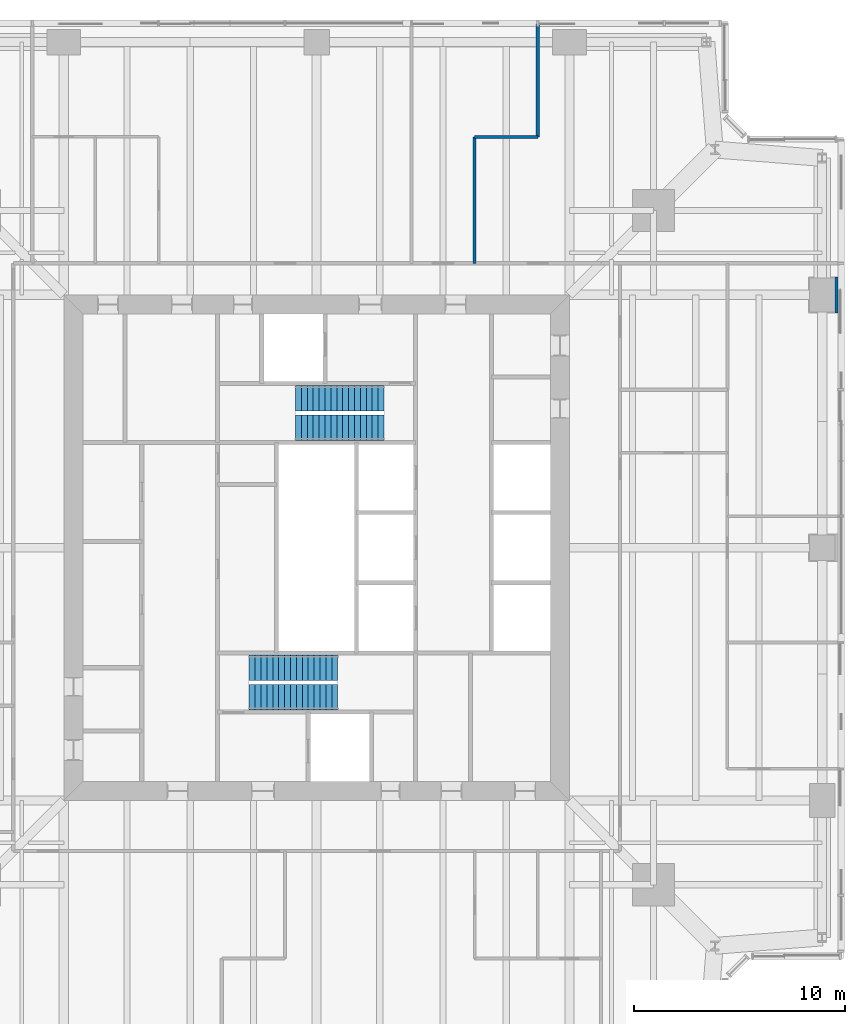
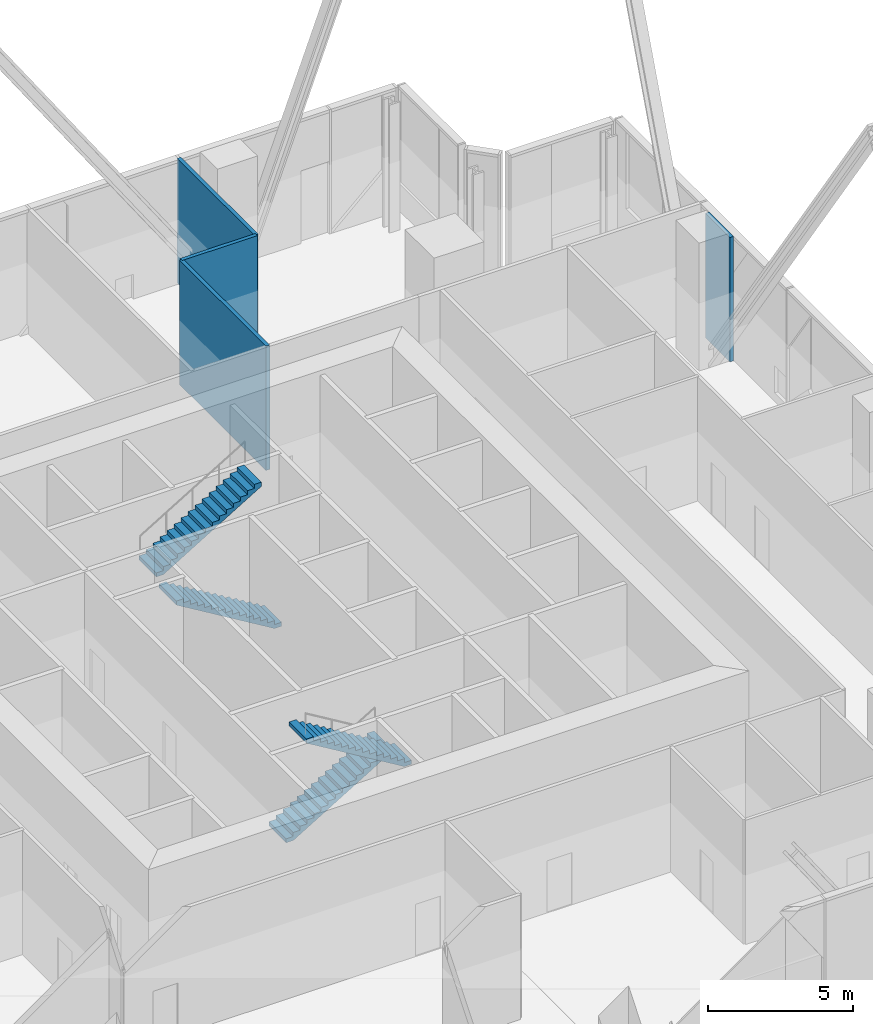
# One storey, part 12 of 14: 4 stair flights, 4 walls, 2 elements without a shape of their own.
"""IFC4 building model written with IfcOpenShell, lengths in metres."""

from ifc_helpers import new_model, si_unit, direction, frame, frame_2d, origin, place, context, subcontext, project, spatial, polyline, rectangle, outline, extrude, material, layer, layer_set, type_object, element, aggregate, save


model = new_model("IFC4")

# Units and contexts
model_context = context("Model", 3, precision=1e-05, world=origin(), true_north=direction((0.0, 1.0)))
body_context = subcontext(model_context, "Body", "Model", "MODEL_VIEW")
ifc_project = project(units=[si_unit("LENGTHUNIT", "METRE"), si_unit("AREAUNIT", "SQUARE_METRE"), si_unit("VOLUMEUNIT", "CUBIC_METRE"), si_unit("PLANEANGLEUNIT", "RADIAN"), si_unit("MASSUNIT", "GRAM", prefix="KILO")], contexts=[model_context])

# Site, building, storey
site_placement = place(None, origin())
site = spatial("IfcSite", under=ifc_project, at=site_placement, CompositionType="ELEMENT")
building_placement = place(site_placement, origin())
building = spatial("IfcBuilding", under=site, at=building_placement, Name="Fenwick Lantern Interchange", CompositionType="ELEMENT")
storey_placement = place(building_placement, frame((0.0, 0.0, 168.39990234375)))
storey = spatial("IfcBuildingStorey", under=building, at=storey_placement, Name="L39", CompositionType="ELEMENT", Elevation=168.39990234375)

# Walls
ifc_material_1 = material(Name="Fire-rated gypsum board encasement on steel studs, 2 hour", Category="steel")
ifc_layer_1 = layer(ifc_material_1, 1.699951171875)
ifc_layer_set_1 = layer_set([ifc_layer_1], Name="COLUMN PIER 1700")
wall_type_1 = type_object("IfcWallType", Name="COLUMN PIER 1700", PredefinedType="PARTITIONING", material=ifc_layer_set_1)
wall_1_placement = place(storey_placement, frame((49.75, 37.0, 0.0), z_axis=(0.0, 0.0, 1.0), x_axis=(-1.0, 0.0, 0.0)))
element("IfcWall", 1, at=wall_1_placement, inside=storey, type_object=wall_type_1, Name="L39/W/PIER/CE4", PredefinedType="PARTITIONING", context=body_context, shape_type="SweptSolid", body=[
    extrude(rectangle(XDim=0.14990234375, YDim=1.699951171875, at=frame_2d((0.074951171875, 0.0))), origin(), (0.0, 0.0, 1.0), 5.25),
])
ifc_material_2 = material(Name="Gypsum board on steel studs, 1 hour acoustic", Category="steel")
ifc_layer_2 = layer(ifc_material_2, 0.14990234375)
ifc_layer_set_2 = layer_set([ifc_layer_2], Name="TENANT WALL 150")
wall_type_2 = type_object("IfcWallType", Name="TENANT WALL 150", PredefinedType="PARTITIONING", material=ifc_layer_set_2)
wall_2_placement = place(storey_placement, frame((35.5, 49.85009765625, 0.0), z_axis=(0.0, 0.0, 1.0), x_axis=(0.0, -1.0, 0.0)))
element("IfcWall", 2, at=wall_2_placement, inside=storey, type_object=wall_type_2, Name="L39/W/OFF/N/X145-1", PredefinedType="PARTITIONING", context=body_context, shape_type="SweptSolid", body=[
    extrude(rectangle(XDim=5.35009765625, YDim=0.14990234375, at=frame_2d((2.675048828125, 0.0))), origin(), (0.0, 0.0, 1.0), 5.25),
])
wall_3_placement = place(storey_placement, frame((32.5, 44.5, 0.0), z_axis=(0.0, 0.0, 1.0), x_axis=(0.0, -1.0, 0.0)))
element("IfcWall", 3, at=wall_3_placement, inside=storey, type_object=wall_type_2, Name="L39/W/OFF/N/X175-1", PredefinedType="PARTITIONING", context=body_context, shape_type="SweptSolid", body=[
    extrude(rectangle(XDim=6.0, YDim=0.14990234375, at=frame_2d((3.0, 0.0))), origin(), (0.0, 0.0, 1.0), 5.25),
])
wall_4_placement = place(storey_placement, frame((35.5, 44.5, 0.0), z_axis=(0.0, 0.0, 1.0), x_axis=(-1.0, 0.0, 0.0)))
element("IfcWall", 4, at=wall_4_placement, inside=storey, type_object=wall_type_2, Name="L39/W/OFF/N/Y55-1", PredefinedType="PARTITIONING", context=body_context, shape_type="SweptSolid", body=[
    extrude(rectangle(XDim=3.0, YDim=0.14990234375, at=frame_2d((1.5, 0.0))), origin(), (0.0, 0.0, 1.0), 5.25),
])

# Stair, stair flights
ifc_material_3 = material(Name="Precast concrete f'c 35 MPa", Category="concrete")
stair_type = type_object("IfcStairType", Name="EXIT STAIR 1200", PredefinedType="HALF_TURN_STAIR", material=ifc_material_3)
stair_1_placement = place(storey_placement, origin())
stair_1 = element("IfcStair", 5, at=stair_1_placement, inside=storey, type_object=stair_type, Name="Exit stair ST1", PredefinedType="HALF_TURN_STAIR")
stair_flight_type = type_object("IfcStairFlightType", Name="STAIR FLIGHT 1200", PredefinedType="STRAIGHT", material=ifc_material_3)
stair_flight_1_placement = place(storey_placement, frame((21.800048828125, 19.300048828125, 0.0), z_axis=(0.0, 0.0, 1.0), x_axis=(1.0, 0.0, 0.0)))
stair_flight_1 = element("IfcStairFlight", 6, at=stair_flight_1_placement, type_object=stair_flight_type, Name="ST1 flight 1", NumberOfRisers=16, NumberOfTreads=15, PredefinedType="STRAIGHT", RiserHeight=0.16875, TreadLength=0.28, context=body_context, shape_type="SweptSolid", body=[
    extrude(outline(polyline([(0.0, 0.0), (0.0, 0.168701171875), (0.280029296875, 0.168701171875), (0.280029296875, 0.33740234375), (0.56005859375, 0.33740234375), (0.56005859375, 0.50634765625), (0.840087890625, 0.50634765625), (0.840087890625, 0.675048828125), (1.1201171875, 0.675048828125), (1.1201171875, 0.84375), (1.39990234375, 0.84375), (1.39990234375, 1.012451171875), (1.679931640625, 1.012451171875), (1.679931640625, 1.18115234375), (1.9599609375, 1.18115234375), (1.9599609375, 1.35009765625), (2.239990234375, 1.35009765625), (2.239990234375, 1.518798828125), (2.52001953125, 1.518798828125), (2.52001953125, 1.6875), (2.800048828125, 1.6875), (2.800048828125, 1.856201171875), (3.080078125, 1.856201171875), (3.080078125, 2.02490234375), (3.360107421875, 2.02490234375), (3.360107421875, 2.19384765625), (3.639892578125, 2.19384765625), (3.639892578125, 2.362548828125), (3.919921875, 2.362548828125), (3.919921875, 2.53125), (4.199951171875, 2.53125), (4.199951171875, 2.699951171875), (4.199951171875, 2.356201171875), (0.29052734375, 0.0), (0.0, 0.0)])), frame((0.0, 0.60009765625, 0.0), z_axis=(0.0, -1.0, 0.0), x_axis=(1.0, 0.0, 0.0)), (0.0, 0.0, 1.0), 1.199951171875),
])
stair_flight_2_placement = place(storey_placement, frame((26.0, 17.89990234375, 2.7001953125), z_axis=(0.0, 0.0, 1.0), x_axis=(-1.0, 0.0, 0.0)))
stair_flight_2 = element("IfcStairFlight", 7, at=stair_flight_2_placement, type_object=stair_flight_type, Name="ST1 flight 2", NumberOfRisers=16, NumberOfTreads=15, PredefinedType="STRAIGHT", RiserHeight=0.16875, TreadLength=0.28, context=body_context, shape_type="SweptSolid", body=[
    extrude(outline(polyline([(0.0, 0.0), (0.0, 0.168701171875), (0.280029296875, 0.168701171875), (0.280029296875, 0.33740234375), (0.56005859375, 0.33740234375), (0.56005859375, 0.50634765625), (0.840087890625, 0.50634765625), (0.840087890625, 0.675048828125), (1.1201171875, 0.675048828125), (1.1201171875, 0.84375), (1.39990234375, 0.84375), (1.39990234375, 1.012451171875), (1.679931640625, 1.012451171875), (1.679931640625, 1.18115234375), (1.9599609375, 1.18115234375), (1.9599609375, 1.35009765625), (2.239990234375, 1.35009765625), (2.239990234375, 1.518798828125), (2.52001953125, 1.518798828125), (2.52001953125, 1.6875), (2.800048828125, 1.6875), (2.800048828125, 1.856201171875), (3.080078125, 1.856201171875), (3.080078125, 2.02490234375), (3.360107421875, 2.02490234375), (3.360107421875, 2.19384765625), (3.639892578125, 2.19384765625), (3.639892578125, 2.362548828125), (3.919921875, 2.362548828125), (3.919921875, 2.53125), (4.199951171875, 2.53125), (4.199951171875, 2.699951171875), (4.199951171875, 2.356201171875), (0.29052734375, 0.0), (0.0, 0.0)])), frame((0.0, 0.60009765625, 0.0), z_axis=(0.0, -1.0, 0.0), x_axis=(1.0, 0.0, 0.0)), (0.0, 0.0, 1.0), 1.199951171875),
])
aggregate(stair_1, [stair_flight_1, stair_flight_2])

stair_2_placement = place(storey_placement, origin())
stair_2 = element("IfcStair", 8, at=stair_2_placement, inside=storey, type_object=stair_type, Name="Exit stair ST2", PredefinedType="HALF_TURN_STAIR")
stair_flight_3_placement = place(storey_placement, frame((28.199951171875, 30.699951171875, 0.0), z_axis=(0.0, 0.0, 1.0), x_axis=(-1.0, 0.0, 0.0)))
stair_flight_3 = element("IfcStairFlight", 9, at=stair_flight_3_placement, type_object=stair_flight_type, Name="ST2 flight 1", NumberOfRisers=16, NumberOfTreads=15, PredefinedType="STRAIGHT", RiserHeight=0.16875, TreadLength=0.28, context=body_context, shape_type="SweptSolid", body=[
    extrude(outline(polyline([(0.0, 0.0), (0.0, 0.168701171875), (0.280029296875, 0.168701171875), (0.280029296875, 0.33740234375), (0.56005859375, 0.33740234375), (0.56005859375, 0.50634765625), (0.840087890625, 0.50634765625), (0.840087890625, 0.675048828125), (1.1201171875, 0.675048828125), (1.1201171875, 0.84375), (1.39990234375, 0.84375), (1.39990234375, 1.012451171875), (1.679931640625, 1.012451171875), (1.679931640625, 1.18115234375), (1.9599609375, 1.18115234375), (1.9599609375, 1.35009765625), (2.239990234375, 1.35009765625), (2.239990234375, 1.518798828125), (2.52001953125, 1.518798828125), (2.52001953125, 1.6875), (2.800048828125, 1.6875), (2.800048828125, 1.856201171875), (3.080078125, 1.856201171875), (3.080078125, 2.02490234375), (3.360107421875, 2.02490234375), (3.360107421875, 2.19384765625), (3.639892578125, 2.19384765625), (3.639892578125, 2.362548828125), (3.919921875, 2.362548828125), (3.919921875, 2.53125), (4.199951171875, 2.53125), (4.199951171875, 2.699951171875), (4.199951171875, 2.356201171875), (0.29052734375, 0.0), (0.0, 0.0)])), frame((0.0, 0.60009765625, 0.0), z_axis=(0.0, -1.0, 0.0), x_axis=(1.0, 0.0, 0.0)), (0.0, 0.0, 1.0), 1.199951171875),
])
stair_flight_4_placement = place(storey_placement, frame((24.0, 32.10009765625, 2.7001953125), z_axis=(0.0, 0.0, 1.0), x_axis=(1.0, 0.0, 0.0)))
stair_flight_4 = element("IfcStairFlight", 10, at=stair_flight_4_placement, type_object=stair_flight_type, Name="ST2 flight 2", NumberOfRisers=16, NumberOfTreads=15, PredefinedType="STRAIGHT", RiserHeight=0.16875, TreadLength=0.28, context=body_context, shape_type="SweptSolid", body=[
    extrude(outline(polyline([(0.0, 0.0), (0.0, 0.168701171875), (0.280029296875, 0.168701171875), (0.280029296875, 0.33740234375), (0.56005859375, 0.33740234375), (0.56005859375, 0.50634765625), (0.840087890625, 0.50634765625), (0.840087890625, 0.675048828125), (1.1201171875, 0.675048828125), (1.1201171875, 0.84375), (1.39990234375, 0.84375), (1.39990234375, 1.012451171875), (1.679931640625, 1.012451171875), (1.679931640625, 1.18115234375), (1.9599609375, 1.18115234375), (1.9599609375, 1.35009765625), (2.239990234375, 1.35009765625), (2.239990234375, 1.518798828125), (2.52001953125, 1.518798828125), (2.52001953125, 1.6875), (2.800048828125, 1.6875), (2.800048828125, 1.856201171875), (3.080078125, 1.856201171875), (3.080078125, 2.02490234375), (3.360107421875, 2.02490234375), (3.360107421875, 2.19384765625), (3.639892578125, 2.19384765625), (3.639892578125, 2.362548828125), (3.919921875, 2.362548828125), (3.919921875, 2.53125), (4.199951171875, 2.53125), (4.199951171875, 2.699951171875), (4.199951171875, 2.356201171875), (0.29052734375, 0.0), (0.0, 0.0)])), frame((0.0, 0.60009765625, 0.0), z_axis=(0.0, -1.0, 0.0), x_axis=(1.0, 0.0, 0.0)), (0.0, 0.0, 1.0), 1.199951171875),
])
aggregate(stair_2, [stair_flight_3, stair_flight_4])

save(model, "model.ifc")
